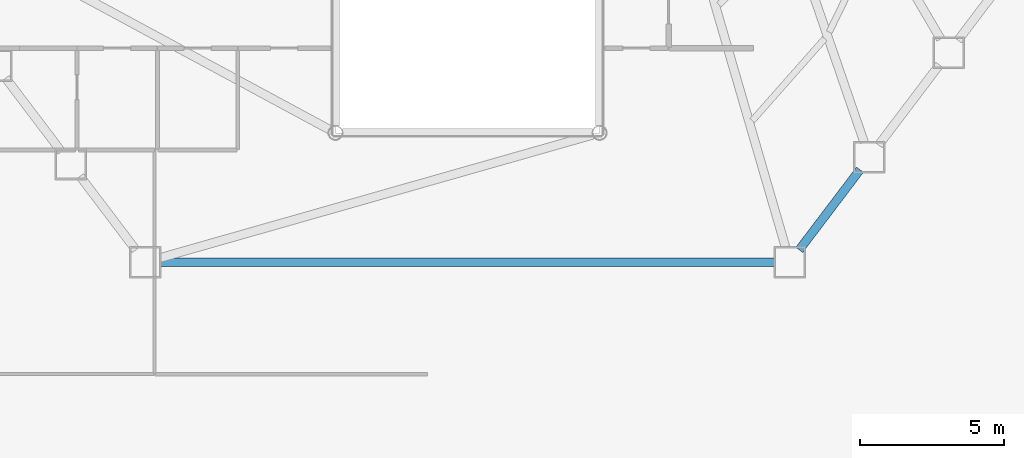
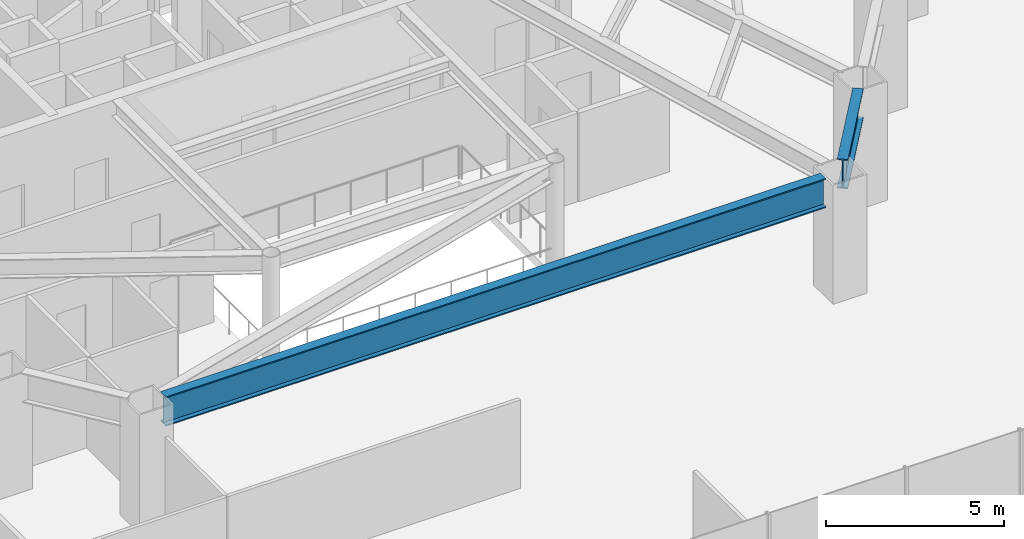
# One storey, part 13 of 33: 2 beams.
"""IFC4 building model written with IfcOpenShell, lengths in metres."""

from ifc_helpers import new_model, si_unit, direction, frame, origin, origin_2d, place, context, subcontext, project, spatial, i_section, extrude, material, material_profile, profile_set, type_object, element, save


model = new_model("IFC4")

# Units and contexts
model_context = context("Model", 3, precision=1e-05, world=origin(), true_north=direction((0.0, 1.0)))
body_context = subcontext(model_context, "Body", "Model", "MODEL_VIEW")
ifc_project = project(units=[si_unit("LENGTHUNIT", "METRE"), si_unit("AREAUNIT", "SQUARE_METRE"), si_unit("VOLUMEUNIT", "CUBIC_METRE"), si_unit("PLANEANGLEUNIT", "RADIAN"), si_unit("MASSUNIT", "GRAM", prefix="KILO")], contexts=[model_context])

# Site, building, storey
site_placement = place(None, origin())
site = spatial("IfcSite", under=ifc_project, at=site_placement, CompositionType="ELEMENT")
building_placement = place(site_placement, origin())
building = spatial("IfcBuilding", under=site, at=building_placement, Name="Zarrinselat Tower", CompositionType="ELEMENT")
storey_placement = place(building_placement, frame((0.0, 0.0, 18.360107421875)))
storey = spatial("IfcBuildingStorey", under=building, at=storey_placement, Name="L04", CompositionType="ELEMENT", Elevation=18.360107421875)

# Beams
ifc_material = material(Name="Steel S460M", Category="steel")
ifc_material_profile = material_profile(ifc_material, i_section(OverallWidth=0.302001953125, OverallDepth=1.008056640625, WebThickness=0.02099609375, FlangeThickness=0.0400390625, at=origin_2d()), Name="HEM 1000")
ifc_profile_set = profile_set([ifc_material_profile], Name="Steel S460M")
beam_type = type_object("IfcBeamType", Name="BM-HEM1000", PredefinedType="BEAM", material=ifc_profile_set)
beam_1_placement = place(storey_placement, frame((27.7109375, 19.89599609375, 3.56591796875), z_axis=(1.0, 0.0, 0.0), x_axis=(0.0, 1.0, 0.0)))
element("IfcBeam", 1, at=beam_1_placement, inside=storey, type_object=beam_type, Name="L04 Perimeter Spandrel Girder SP10", PredefinedType="BEAM", context=body_context, shape_type="SweptSolid", body=[
    extrude(i_section(OverallWidth=0.302001953125, OverallDepth=1.008056640625, WebThickness=0.02099609375, FlangeThickness=0.0400390625, at=origin_2d()), origin(), (0.0, 0.0, 1.0), 21.378173828125),
])
beam_2_placement = place(storey_placement, frame((49.951904296875, 20.32470703125, 3.56591796875), z_axis=(0.60380802351, 0.797129770329, 0.0), x_axis=(-0.797129770329, 0.60380802351, 0.0)))
element("IfcBeam", 2, at=beam_2_placement, inside=storey, type_object=beam_type, Name="L04 Perimeter Spandrel Girder SP11", PredefinedType="BEAM", context=body_context, shape_type="SweptSolid", body=[
    extrude(i_section(OverallWidth=0.302001953125, OverallDepth=1.008056640625, WebThickness=0.02099609375, FlangeThickness=0.0400390625, at=origin_2d()), origin(), (0.0, 0.0, 1.0), 3.501953125),
])

save(model, "model.ifc")
